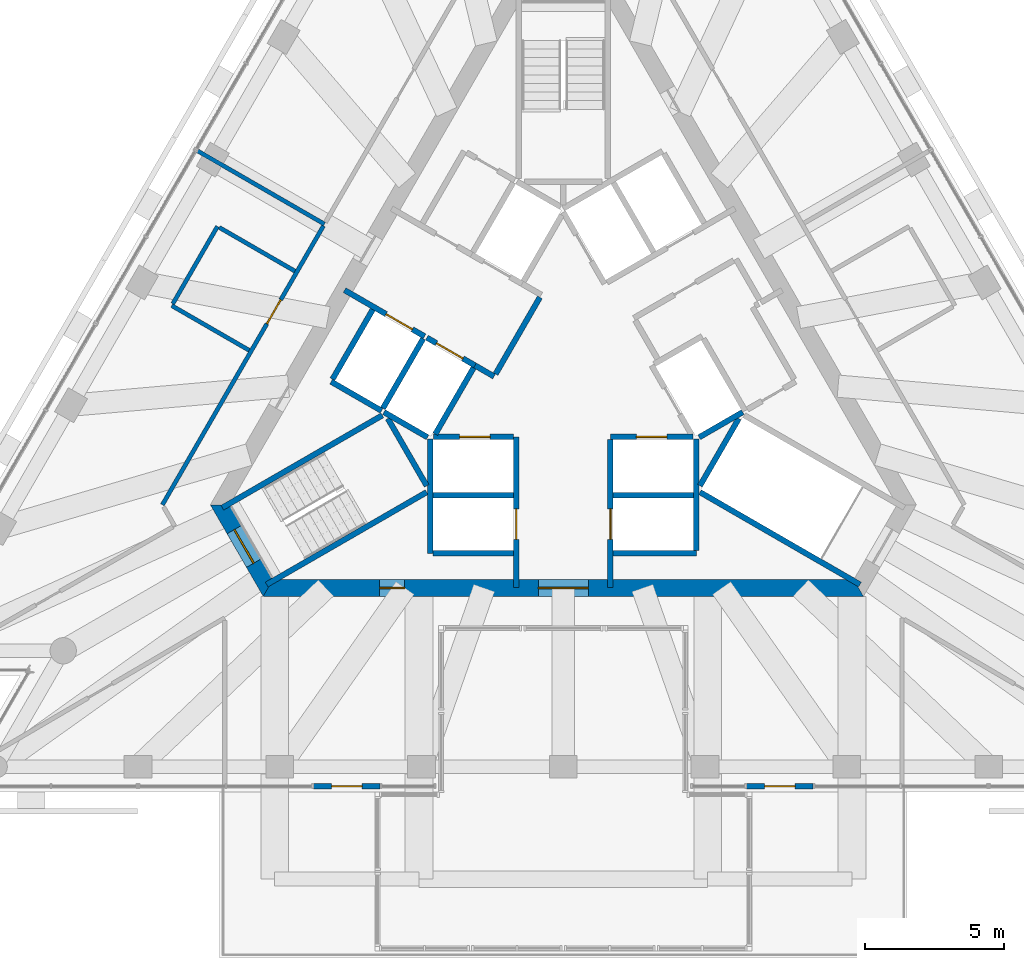
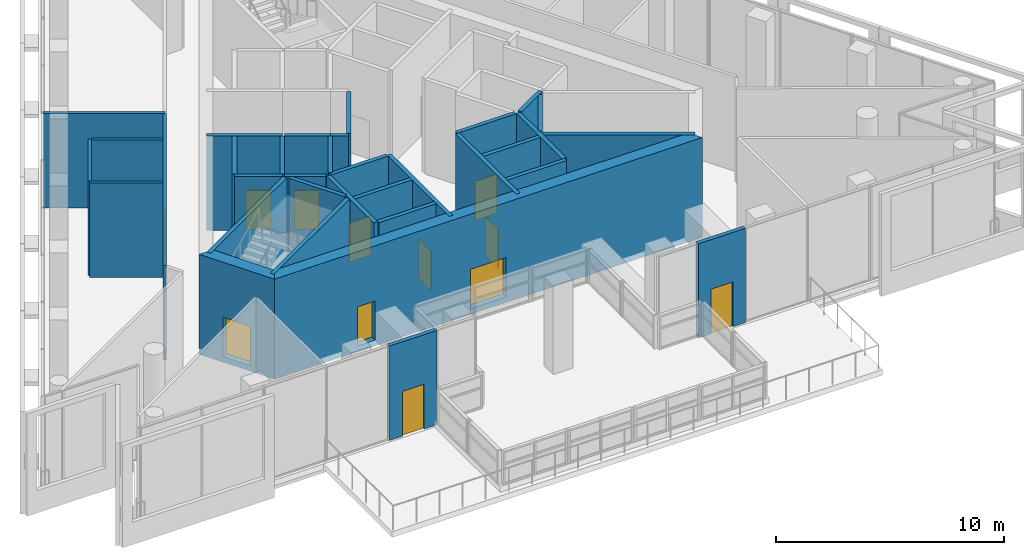
# One storey, part 12 of 17: 34 walls, 12 doors, 12 openings.
"""IFC4 building model written with IfcOpenShell, lengths in metres."""

from ifc_helpers import new_model, si_unit, direction, frame, frame_2d, origin, place, context, subcontext, project, spatial, polyline, rectangle, outline, extrude, material, layer, layer_set, layer_usage, type_object, element, fill, save


model = new_model("IFC4")

# Units and contexts
model_context = context("Model", 3, precision=1e-05, world=origin(), true_north=direction((0.0, 1.0)))
body_context = subcontext(model_context, "Body", "Model", "MODEL_VIEW")
ifc_project = project(units=[si_unit("LENGTHUNIT", "METRE"), si_unit("AREAUNIT", "SQUARE_METRE"), si_unit("VOLUMEUNIT", "CUBIC_METRE"), si_unit("PLANEANGLEUNIT", "RADIAN"), si_unit("MASSUNIT", "GRAM", prefix="KILO")], contexts=[model_context])

# Site, building, storey
site_placement = place(None, origin())
site = spatial("IfcSite", under=ifc_project, at=site_placement, CompositionType="ELEMENT")
building_placement = place(site_placement, origin())
building = spatial("IfcBuilding", under=site, at=building_placement, Name="Triada Interchange Tower", CompositionType="ELEMENT")
storey_placement = place(building_placement, frame((0.0, 0.0, 322.300048828125)))
storey = spatial("IfcBuildingStorey", under=building, at=storey_placement, Name="L77", CompositionType="ELEMENT", Elevation=322.300048828125)

# Walls
ifc_material_1 = material(Name="Concrete C30/37", Category="concrete")
ifc_layer_1 = layer(ifc_material_1, 0.199951171875)
ifc_layer_set_1 = layer_set([ifc_layer_1], Name="CORE WALL 200 EI 120")
wall_type_1 = type_object("IfcWallType", Name="CORE WALL 200 EI 120", PredefinedType="SOLIDWALL", material=ifc_layer_set_1)
wall_1_placement = place(storey_placement, frame((-8.3759765625, -0.70703125, 0.0), z_axis=(0.0, 0.0, 1.0), x_axis=(0.866067520717, -0.499927044236, 0.0)))
element("IfcWall", 1, at=wall_1_placement, inside=storey, type_object=wall_type_1, Name="Wall L77 24", PredefinedType="SOLIDWALL", context=body_context, shape_type="SweptSolid", body=[
    extrude(rectangle(XDim=2.100341796875, YDim=0.199951171875, at=frame_2d((1.05029296875, 0.0))), origin(), (0.0, 0.0, 1.0), 5.050048828125),
])
wall_2_placement = place(storey_placement, frame((-8.325927734375, -0.6201171875, 0.0), z_axis=(0.0, 0.0, 1.0), x_axis=(0.500023687443, 0.866011727401, 0.0)))
element("IfcWall", 2, at=wall_2_placement, inside=storey, type_object=wall_type_1, Name="Wall L77 25", PredefinedType="SOLIDWALL", context=body_context, shape_type="SweptSolid", body=[
    extrude(rectangle(XDim=2.899658203125, YDim=0.199951171875, at=frame_2d((1.44970703125, 0.0))), origin(), (0.0, 0.0, 1.0), 5.050048828125),
])
for number, where, z_axis, x_axis, name in (
    (3, (-4.699951171875, -4.800048828125, 0.0), (0.0, 0.0, 1.0), (1.0, 0.0, 0.0), "Wall L77 26"),
    (4, (1.800048828125, -4.800048828125, 0.0), (0.0, 0.0, 1.0), (1.0, 0.0, 0.0), "Wall L77 27"),
):
    element("IfcWall", number, at=place(storey_placement, frame(where, z_axis=z_axis, x_axis=x_axis)), inside=storey, type_object=wall_type_1, Name=name, PredefinedType="SOLIDWALL", context=body_context, shape_type="SweptSolid", body=[
        extrude(rectangle(XDim=2.89990234375, YDim=0.199951171875, at=frame_2d((1.449951171875, 0.0))), origin(), (0.0, 0.0, 1.0), 5.050048828125),
    ])
wall_3_placement = place(storey_placement, frame((-4.800048828125, -6.89990234375, 0.0), z_axis=(0.0, 0.0, 1.0), x_axis=(0.0, 1.0, 0.0)))
element("IfcWall", 5, at=wall_3_placement, inside=storey, type_object=wall_type_1, Name="Wall L77 28", PredefinedType="SOLIDWALL", context=body_context, shape_type="SweptSolid", body=[
    extrude(rectangle(XDim=4.130859375, YDim=0.199951171875, at=frame_2d((2.0654296875, 0.0))), origin(), (0.0, 0.0, 1.0), 5.050048828125),
])
wall_4_placement = place(storey_placement, frame((-4.699951171875, -6.89990234375, 0.0), z_axis=(0.0, 0.0, 1.0), x_axis=(1.0, 0.0, 0.0)))
element("IfcWall", 6, at=wall_4_placement, inside=storey, type_object=wall_type_1, Name="Wall L77 29", PredefinedType="SOLIDWALL", context=body_context, shape_type="SweptSolid", body=[
    extrude(rectangle(XDim=2.89990234375, YDim=0.199951171875, at=frame_2d((1.449951171875, 0.0))), origin(), (0.0, 0.0, 1.0), 5.050048828125),
])
wall_5_placement = place(storey_placement, frame((1.800048828125, -6.89990234375, 0.0), z_axis=(0.0, 0.0, 1.0), x_axis=(1.0, 0.0, 0.0)))
element("IfcWall", 7, at=wall_5_placement, inside=storey, type_object=wall_type_1, Name="Wall L77 30", PredefinedType="SOLIDWALL", context=body_context, shape_type="SweptSolid", body=[
    extrude(rectangle(XDim=3.0, YDim=0.199951171875, at=frame_2d((1.5, 0.0))), origin(), (0.0, 0.0, 1.0), 5.050048828125),
])

# Wall, opening, door
wall_6_placement = place(storey_placement, frame((-1.699951171875, -8.1298828125, 0.0), z_axis=(0.0, 0.0, 1.0), x_axis=(0.0, 1.0, 0.0)))
wall_6 = element("IfcWall", 8, at=wall_6_placement, inside=storey, type_object=wall_type_1, Name="Wall L77 31", PredefinedType="SOLIDWALL", context=body_context, shape_type="SweptSolid", body=[
    extrude(rectangle(XDim=5.427001953125, YDim=0.199951171875, at=frame_2d((2.71337890625, 0.0))), origin(), (0.0, 0.0, 1.0), 5.050048828125),
])
opening_1_placement = place(wall_6_placement, frame((1.72998046875, 0.0, 0.0)))
opening_1 = element("IfcOpeningElement", 9, at=opening_1_placement, cuts=wall_6, Name="Opening LD-HR4", PredefinedType="OPENING", context=body_context, shape_type="SweptSolid", body=[
    extrude(rectangle(XDim=1.10009765625, YDim=2.10009765625, at=frame_2d((0.550048828125, 1.050048828125))), frame((0.0, 0.10986328125, 0.0), z_axis=(0.0, -1.0, 0.0), x_axis=(1.0, 0.0, 0.0)), (0.0, 0.0, 1.0), 0.219970703125),
])
ifc_material_2 = material(Name="Steel S235 door leaf", Category="steel")
door_type_1 = type_object("IfcDoorType", Name="LIFT LANDING DOOR 1100 EI 120", OperationType="SLIDING_TO_LEFT", PredefinedType="DOOR", material=ifc_material_2)
door_1_placement = place(opening_1_placement, origin())
door_1 = element("IfcDoor", 10, at=door_1_placement, inside=storey, type_object=door_type_1, Name="HR4 landing door L77", OperationType="SLIDING_TO_LEFT", OverallHeight=2.10009765625, OverallWidth=1.10009765625, PredefinedType="DOOR", context=body_context, shape_type="SweptSolid", body=[
    extrude(rectangle(XDim=1.10009765625, YDim=2.10009765625, at=frame_2d((0.550048828125, 1.050048828125))), frame((0.0, 0.02490234375, 0.0), z_axis=(0.0, -1.0, 0.0), x_axis=(1.0, 0.0, 0.0)), (0.0, 0.0, 1.0), 0.050048828125),
])
fill(opening_1, door_1)

wall_7_placement = place(storey_placement, frame((-4.676025390625, -2.699951171875, 0.0), z_axis=(0.0, 0.0, 1.0), x_axis=(1.0, 0.0, 0.0)))
wall_7 = element("IfcWall", 11, at=wall_7_placement, inside=storey, type_object=wall_type_1, Name="Wall L77 32", PredefinedType="SOLIDWALL", context=body_context, shape_type="SweptSolid", body=[
    extrude(rectangle(XDim=2.873046875, YDim=0.199951171875, at=frame_2d((1.4365234375, 0.0))), origin(), (0.0, 0.0, 1.0), 5.050048828125),
])
opening_2_placement = place(wall_7_placement, frame((0.93701171875, 0.0, 0.0)))
opening_2 = element("IfcOpeningElement", 12, at=opening_2_placement, cuts=wall_7, Name="Opening LD-HR3", PredefinedType="OPENING", context=body_context, shape_type="SweptSolid", body=[
    extrude(rectangle(XDim=1.10009765625, YDim=2.10009765625, at=frame_2d((0.550048828125, 1.050048828125))), frame((0.0, 0.10986328125, 0.0), z_axis=(0.0, -1.0, 0.0), x_axis=(1.0, 0.0, 0.0)), (0.0, 0.0, 1.0), 0.219970703125),
])
door_2_placement = place(opening_2_placement, origin())
door_2 = element("IfcDoor", 13, at=door_2_placement, inside=storey, type_object=door_type_1, Name="HR3 landing door L77", OperationType="SLIDING_TO_LEFT", OverallHeight=2.10009765625, OverallWidth=1.10009765625, PredefinedType="DOOR", context=body_context, shape_type="SweptSolid", body=[
    extrude(rectangle(XDim=1.10009765625, YDim=2.10009765625, at=frame_2d((0.550048828125, 1.050048828125))), frame((0.0, 0.02490234375, 0.0), z_axis=(0.0, -1.0, 0.0), x_axis=(1.0, 0.0, 0.0)), (0.0, 0.0, 1.0), 0.050048828125),
])
fill(opening_2, door_2)

wall_8_placement = place(storey_placement, frame((1.702880859375, -2.699951171875, 0.0), z_axis=(0.0, 0.0, 1.0), x_axis=(1.0, 0.0, 0.0)))
wall_8 = element("IfcWall", 14, at=wall_8_placement, inside=storey, type_object=wall_type_1, Name="Wall L77 33", PredefinedType="SOLIDWALL", context=body_context, shape_type="SweptSolid", body=[
    extrude(rectangle(XDim=2.97314453125, YDim=0.199951171875, at=frame_2d((1.486572265625, 0.0))), origin(), (0.0, 0.0, 1.0), 5.050048828125),
])
opening_3_placement = place(wall_8_placement, frame((0.93603515625, 0.0, 0.0)))
opening_3 = element("IfcOpeningElement", 15, at=opening_3_placement, cuts=wall_8, Name="Opening LD-HR1", PredefinedType="OPENING", context=body_context, shape_type="SweptSolid", body=[
    extrude(rectangle(XDim=1.10009765625, YDim=2.10009765625, at=frame_2d((0.550048828125, 1.050048828125))), frame((0.0, 0.10986328125, 0.0), z_axis=(0.0, -1.0, 0.0), x_axis=(1.0, 0.0, 0.0)), (0.0, 0.0, 1.0), 0.219970703125),
])
door_3_placement = place(opening_3_placement, origin())
door_3 = element("IfcDoor", 16, at=door_3_placement, inside=storey, type_object=door_type_1, Name="HR1 landing door L77", OperationType="SLIDING_TO_LEFT", OverallHeight=2.10009765625, OverallWidth=1.10009765625, PredefinedType="DOOR", context=body_context, shape_type="SweptSolid", body=[
    extrude(rectangle(XDim=1.10009765625, YDim=2.10009765625, at=frame_2d((0.550048828125, 1.050048828125))), frame((0.0, 0.02490234375, 0.0), z_axis=(0.0, -1.0, 0.0), x_axis=(1.0, 0.0, 0.0)), (0.0, 0.0, 1.0), 0.050048828125),
])
fill(opening_3, door_3)

wall_9_placement = place(storey_placement, frame((1.699951171875, -8.1298828125, 0.0), z_axis=(0.0, 0.0, 1.0), x_axis=(0.0, 1.0, 0.0)))
wall_9 = element("IfcWall", 17, at=wall_9_placement, inside=storey, type_object=wall_type_1, Name="Wall L77 38", PredefinedType="SOLIDWALL", context=body_context, shape_type="SweptSolid", body=[
    extrude(rectangle(XDim=5.326904296875, YDim=0.199951171875, at=frame_2d((2.66357421875, 0.0))), origin(), (0.0, 0.0, 1.0), 5.050048828125),
])
opening_4_placement = place(wall_9_placement, frame((1.72998046875, 0.0, 0.0)))
opening_4 = element("IfcOpeningElement", 18, at=opening_4_placement, cuts=wall_9, Name="Opening LD-HR2", PredefinedType="OPENING", context=body_context, shape_type="SweptSolid", body=[
    extrude(rectangle(XDim=1.10009765625, YDim=2.10009765625, at=frame_2d((0.550048828125, 1.050048828125))), frame((0.0, 0.10986328125, 0.0), z_axis=(0.0, -1.0, 0.0), x_axis=(1.0, 0.0, 0.0)), (0.0, 0.0, 1.0), 0.219970703125),
])
door_4_placement = place(opening_4_placement, origin())
door_4 = element("IfcDoor", 19, at=door_4_placement, inside=storey, type_object=door_type_1, Name="HR2 landing door L77", OperationType="SLIDING_TO_LEFT", OverallHeight=2.10009765625, OverallWidth=1.10009765625, PredefinedType="DOOR", context=body_context, shape_type="SweptSolid", body=[
    extrude(rectangle(XDim=1.10009765625, YDim=2.10009765625, at=frame_2d((0.550048828125, 1.050048828125))), frame((0.0, 0.02490234375, 0.0), z_axis=(0.0, -1.0, 0.0), x_axis=(1.0, 0.0, 0.0)), (0.0, 0.0, 1.0), 0.050048828125),
])
fill(opening_4, door_4)

# Walls
wall_10_placement = place(storey_placement, frame((4.800048828125, -6.800048828125, 0.0), z_axis=(0.0, 0.0, 1.0), x_axis=(0.0, 1.0, 0.0)))
element("IfcWall", 20, at=wall_10_placement, inside=storey, type_object=wall_type_1, Name="Wall L77 39", PredefinedType="SOLIDWALL", context=body_context, shape_type="SweptSolid", body=[
    extrude(rectangle(XDim=4.029052734375, YDim=0.199951171875, at=frame_2d((2.0146484375, 0.0))), origin(), (0.0, 0.0, 1.0), 5.050048828125),
])
wall_11_placement = place(storey_placement, frame((4.89990234375, -2.714111328125, 0.0), z_axis=(0.0, 0.0, 1.0), x_axis=(0.865846928409, 0.500309001083, 0.0)))
element("IfcWall", 21, at=wall_11_placement, inside=storey, type_object=wall_type_1, Name="Wall L77 45", PredefinedType="SOLIDWALL", context=body_context, shape_type="SweptSolid", body=[
    extrude(rectangle(XDim=1.813232421875, YDim=0.199951171875, at=frame_2d((0.90673828125, 0.0))), origin(), (0.0, 0.0, 1.0), 5.050048828125),
])

# Wall, opening, door
ifc_layer_2 = layer(ifc_material_1, 0.199951171875)
ifc_layer_set_2 = layer_set([ifc_layer_2], Name="CORE WALL 200 EI 180")
wall_type_2 = type_object("IfcWallType", Name="CORE WALL 200 EI 180", PredefinedType="SOLIDWALL", material=ifc_layer_set_2)
wall_12_placement = place(storey_placement, frame((-7.89111328125, 2.593017578125, 0.0), z_axis=(0.0, 0.0, 1.0), x_axis=(0.866070917804, -0.499921159118, 0.0)))
wall_12 = element("IfcWall", 22, at=wall_12_placement, inside=storey, type_object=wall_type_2, Name="Wall L77 49", PredefinedType="SOLIDWALL", context=body_context, shape_type="SweptSolid", body=[
    extrude(rectangle(XDim=3.33251953125, YDim=0.199951171875, at=frame_2d((1.666259765625, 0.0))), origin(), (0.0, 0.0, 1.0), 5.050048828125),
])
opening_5_placement = place(wall_12_placement, frame((1.72998046875, 0.0, 0.0)))
opening_5 = element("IfcOpeningElement", 23, at=opening_5_placement, cuts=wall_12, Name="Opening LD-SV1", PredefinedType="OPENING", context=body_context, shape_type="SweptSolid", body=[
    extrude(rectangle(XDim=1.10009765625, YDim=2.10009765625, at=frame_2d((0.550048828125, 1.050048828125))), frame((0.0, 0.10986328125, 0.0), z_axis=(0.0, -1.0, 0.0), x_axis=(1.0, 0.0, 0.0)), (0.0, 0.0, 1.0), 0.219970703125),
])
door_5_placement = place(opening_5_placement, origin())
door_5 = element("IfcDoor", 24, at=door_5_placement, inside=storey, type_object=door_type_1, Name="SV1 landing door L77", OperationType="SLIDING_TO_LEFT", OverallHeight=2.10009765625, OverallWidth=1.10009765625, PredefinedType="DOOR", context=body_context, shape_type="SweptSolid", body=[
    extrude(rectangle(XDim=1.10009765625, YDim=2.10009765625, at=frame_2d((0.550048828125, 1.050048828125))), frame((0.0, 0.02490234375, 0.0), z_axis=(0.0, -1.0, 0.0), x_axis=(1.0, 0.0, 0.0)), (0.0, 0.0, 1.0), 0.050048828125),
])
fill(opening_5, door_5)

# Walls
wall_13_placement = place(storey_placement, frame((-3.18798828125, -0.1220703125, 0.0), z_axis=(0.0, 0.0, 1.0), x_axis=(0.865705793592, -0.50055317294, 0.0)))
element("IfcWall", 25, at=wall_13_placement, inside=storey, type_object=wall_type_2, Name="Wall L77 50", PredefinedType="SOLIDWALL", context=body_context, shape_type="SweptSolid", body=[
    extrude(rectangle(XDim=0.796875, YDim=0.199951171875, at=frame_2d((0.3984375, 0.0))), origin(), (0.0, 0.0, 1.0), 5.050048828125),
])
wall_14_placement = place(storey_placement, frame((-2.444091796875, -0.43310546875, 0.0), z_axis=(0.0, 0.0, 1.0), x_axis=(0.500035624827, 0.866004834804, 0.0)))
element("IfcWall", 26, at=wall_14_placement, inside=storey, type_object=wall_type_2, Name="Wall L77 55", PredefinedType="SOLIDWALL", context=body_context, shape_type="SweptSolid", body=[
    extrude(rectangle(XDim=3.194091796875, YDim=0.199951171875, at=frame_2d((1.59716796875, 0.0))), origin(), (0.0, 0.0, 1.0), 5.050048828125),
])
wall_15_placement = place(storey_placement, frame((-6.507080078125, -1.669921875, 0.0), z_axis=(0.0, 0.0, 1.0), x_axis=(0.50012328804, 0.865954211699, 0.0)))
element("IfcWall", 27, at=wall_15_placement, inside=storey, type_object=wall_type_2, Name="Shaft wall FF1 L77 56", PredefinedType="SOLIDWALL", context=body_context, shape_type="SweptSolid", body=[
    extrude(rectangle(XDim=2.899658203125, YDim=0.199951171875, at=frame_2d((1.44970703125, 0.0))), origin(), (0.0, 0.0, 1.0), 5.050048828125),
])
wall_16_placement = place(storey_placement, frame((-6.469970703125, -1.806884765625, 0.0), z_axis=(0.0, 0.0, 1.0), x_axis=(0.865883195159, -0.500246231712, 0.0)))
element("IfcWall", 28, at=wall_16_placement, inside=storey, type_object=wall_type_2, Name="Shaft wall FF1 L77 57", PredefinedType="SOLIDWALL", context=body_context, shape_type="SweptSolid", body=[
    extrude(rectangle(XDim=1.8154296875, YDim=0.199951171875, at=frame_2d((0.90771484375, 0.0))), origin(), (0.0, 0.0, 1.0), 5.050048828125),
])

# Wall, opening, door
wall_17_placement = place(storey_placement, frame((-4.922119140625, 0.87890625, 0.0), z_axis=(0.0, 0.0, 1.0), x_axis=(0.866073918653, -0.499915960366, 0.0)))
wall_17 = element("IfcWall", 29, at=wall_17_placement, inside=storey, type_object=wall_type_2, Name="Shaft wall FF1 L77 58", PredefinedType="SOLIDWALL", context=body_context, shape_type="SweptSolid", body=[
    extrude(rectangle(XDim=2.002197265625, YDim=0.199951171875, at=frame_2d((1.0009765625, 0.0))), origin(), (0.0, 0.0, 1.0), 5.050048828125),
])
opening_6_placement = place(wall_17_placement, frame((0.402099609375, 0.0, 0.0)))
opening_6 = element("IfcOpeningElement", 30, at=opening_6_placement, cuts=wall_17, Name="Opening LD-FF1", PredefinedType="OPENING", context=body_context, shape_type="SweptSolid", body=[
    extrude(rectangle(XDim=1.10009765625, YDim=2.10009765625, at=frame_2d((0.550048828125, 1.050048828125))), frame((0.0, 0.10986328125, 0.0), z_axis=(0.0, -1.0, 0.0), x_axis=(1.0, 0.0, 0.0)), (0.0, 0.0, 1.0), 0.219970703125),
])
door_6_placement = place(opening_6_placement, origin())
door_6 = element("IfcDoor", 31, at=door_6_placement, inside=storey, type_object=door_type_1, Name="FF1 landing door L77", OperationType="SLIDING_TO_LEFT", OverallHeight=2.10009765625, OverallWidth=1.10009765625, PredefinedType="DOOR", context=body_context, shape_type="SweptSolid", body=[
    extrude(rectangle(XDim=1.10009765625, YDim=2.10009765625, at=frame_2d((0.550048828125, 1.050048828125))), frame((0.0, 0.02490234375, 0.0), z_axis=(0.0, -1.0, 0.0), x_axis=(1.0, 0.0, 0.0)), (0.0, 0.0, 1.0), 0.050048828125),
])
fill(opening_6, door_6)

# Walls
wall_18_placement = place(storey_placement, frame((-4.618896484375, -2.60009765625, 0.0), z_axis=(0.0, 0.0, 1.0), x_axis=(0.50009492287, 0.865970593103, 0.0)))
element("IfcWall", 32, at=wall_18_placement, inside=storey, type_object=wall_type_2, Name="Shaft wall FF1 L77 59", PredefinedType="SOLIDWALL", context=body_context, shape_type="SweptSolid", body=[
    extrude(rectangle(XDim=2.76123046875, YDim=0.199951171875, at=frame_2d((1.380615234375, 0.0))), origin(), (0.0, 0.0, 1.0), 5.050048828125),
])
ifc_layer_3 = layer(ifc_material_1, 0.199951171875)
ifc_layer_set_3 = layer_set([ifc_layer_3], Name="CORE WALL 200 REI 240")
wall_type_3 = type_object("IfcWallType", Name="CORE WALL 200 REI 240", PredefinedType="SOLIDWALL", material=ifc_layer_set_3)
wall_19_placement = place(storey_placement, frame((-12.301025390625, -5.25390625, 0.0), z_axis=(0.0, 0.0, 1.0), x_axis=(0.866068467981, 0.499925403204, 0.0)))
element("IfcWall", 33, at=wall_19_placement, inside=storey, type_object=wall_type_3, Name="Wall L77 68", PredefinedType="SOLIDWALL", context=body_context, shape_type="SweptSolid", body=[
    extrude(rectangle(XDim=6.66455078125, YDim=0.199951171875, at=frame_2d((3.332275390625, 0.0))), origin(), (0.0, 0.0, 1.0), 5.050048828125),
])
wall_20_placement = place(storey_placement, frame((-6.3291015625, -2.0380859375, 0.0), z_axis=(0.0, 0.0, 1.0), x_axis=(0.500200581029, -0.865909567298, 0.0)))
element("IfcWall", 34, at=wall_20_placement, inside=storey, type_object=wall_type_3, Name="Wall L77 69", PredefinedType="SOLIDWALL", context=body_context, shape_type="SweptSolid", body=[
    extrude(rectangle(XDim=2.799072265625, YDim=0.199951171875, at=frame_2d((1.3994140625, 0.0))), origin(), (0.0, 0.0, 1.0), 5.050048828125),
])
for number, where, z_axis, x_axis, name in (
    (35, (-10.700927734375, -8.02587890625, 0.0), (0.0, 0.0, 1.0), (0.866005022404, 0.500035299925, 0.0), "Wall L77 70"),
    (36, (4.928955078125, -4.693115234375, 0.0), (0.0, 0.0, 1.0), (0.866005022404, -0.500035299925, 0.0), "Wall L77 74"),
):
    element("IfcWall", number, at=place(storey_placement, frame(where, z_axis=z_axis, x_axis=x_axis)), inside=storey, type_object=wall_type_3, Name=name, PredefinedType="SOLIDWALL", context=body_context, shape_type="SweptSolid", body=[
        extrude(rectangle(XDim=6.6650390625, YDim=0.199951171875, at=frame_2d((3.33251953125, 0.0))), origin(), (0.0, 0.0, 1.0), 5.050048828125),
    ])
wall_21_placement = place(storey_placement, frame((4.928955078125, -4.4619140625, 0.0), z_axis=(0.0, 0.0, 1.0), x_axis=(0.500200581029, 0.865909567298, 0.0)))
element("IfcWall", 37, at=wall_21_placement, inside=storey, type_object=wall_type_3, Name="Wall L77 75", PredefinedType="SOLIDWALL", context=body_context, shape_type="SweptSolid", body=[
    extrude(rectangle(XDim=2.799072265625, YDim=0.199951171875, at=frame_2d((1.3994140625, 0.0))), origin(), (0.0, 0.0, 1.0), 5.050048828125),
])

# Wall, opening, door
ifc_material_3 = material(Name="Concrete C40/50", Category="concrete")
ifc_layer_4 = layer(ifc_material_3, 0.60009765625)
ifc_layer_set_4 = layer_set([ifc_layer_4], Name="Core wall D 600")
wall_type_4 = type_object("IfcWallType", Name="Core wall D 600", PredefinedType="SHEAR", material=ifc_layer_set_4)
wall_22_placement = place(storey_placement, frame((-12.384033203125, -5.14990234375, -0.300048828125), z_axis=(0.0, 0.0, 1.0), x_axis=(0.49997462182, -0.866040055388, 0.0)))
wall_22 = element("IfcWall", 38, at=wall_22_placement, inside=storey, type_object=wall_type_4, Name="Core wall WD03 L77", PredefinedType="SHEAR", context=body_context, shape_type="SweptSolid", body=[
    extrude(outline(polyline([(-0.173095703125, -0.301025390625), (1.73193359375, -0.300537109375), (3.636962890625, -0.300048828125), (3.291015625, 0.300048828125), (1.73193359375, 0.300048828125), (0.173095703125, 0.300048828125), (-0.173095703125, -0.301025390625)])), origin(), (0.0, 0.0, 1.0), 5.35009765625),
])
opening_7_placement = place(wall_22_placement, frame((1.031982421875, 0.0, 0.300048828125)))
opening_7 = element("IfcOpeningElement", 39, at=opening_7_placement, cuts=wall_22, Name="Opening D77-22", PredefinedType="OPENING", context=body_context, shape_type="SweptSolid", body=[
    extrude(rectangle(XDim=1.39990234375, YDim=2.10009765625, at=frame_2d((0.699951171875, 1.050048828125))), frame((0.0, 0.31005859375, 0.0), z_axis=(0.0, -1.0, 0.0), x_axis=(1.0, 0.0, 0.0)), (0.0, 0.0, 1.0), 0.62109375),
])
door_type_2 = type_object("IfcDoorType", Name="STAIR DOOR 1400 EI2 90-C5S200", OperationType="DOUBLE_DOOR_SINGLE_SWING", PredefinedType="DOOR", material=ifc_material_2)
door_7_placement = place(opening_7_placement, origin())
door_7 = element("IfcDoor", 40, at=door_7_placement, inside=storey, type_object=door_type_2, Name="Door D77-22 L77", OperationType="DOUBLE_DOOR_SINGLE_SWING", OverallHeight=2.10009765625, OverallWidth=1.39990234375, PredefinedType="DOOR", context=body_context, shape_type="SweptSolid", body=[
    extrude(rectangle(XDim=1.39990234375, YDim=2.10009765625, at=frame_2d((0.699951171875, 1.050048828125))), frame((0.0, 0.02490234375, 0.0), z_axis=(0.0, -1.0, 0.0), x_axis=(1.0, 0.0, 0.0)), (0.0, 0.0, 1.0), 0.050048828125),
])
fill(opening_7, door_7)

# Wall, openings, doors
wall_23_placement = place(storey_placement, frame((-10.652099609375, -8.14990234375, -0.300048828125), z_axis=(0.0, 0.0, 1.0), x_axis=(1.0, 0.0, 0.0)))
wall_23 = element("IfcWall", 41, at=wall_23_placement, inside=storey, type_object=wall_type_4, Name="Core wall WD04 L77", PredefinedType="SHEAR", context=body_context, shape_type="SweptSolid", body=[
    extrude(outline(polyline([(-0.173095703125, -0.300048828125), (1.795166015625, -0.300048828125), (3.76318359375, -0.300048828125), (5.7314453125, -0.300048828125), (7.69970703125, -0.300048828125), (9.66796875, -0.300048828125), (11.635986328125, -0.300048828125), (13.604248046875, -0.300048828125), (15.572509765625, -0.300048828125), (17.540771484375, -0.300048828125), (19.5087890625, -0.300048828125), (21.47705078125, -0.300048828125), (21.131103515625, 0.300048828125), (19.225830078125, 0.300048828125), (17.320556640625, 0.300048828125), (15.415283203125, 0.300048828125), (13.510009765625, 0.300048828125), (11.604736328125, 0.300048828125), (9.699462890625, 0.300048828125), (7.794189453125, 0.300048828125), (5.888916015625, 0.300048828125), (3.983642578125, 0.300048828125), (2.078369140625, 0.300048828125), (0.173095703125, 0.300048828125), (-0.173095703125, -0.300048828125)])), origin(), (0.0, 0.0, 1.0), 5.35009765625),
])
opening_8_placement = place(wall_23_placement, frame((9.751953125, 0.0, 0.300048828125)))
opening_8 = element("IfcOpeningElement", 42, at=opening_8_placement, cuts=wall_23, Name="Opening D77-20", PredefinedType="OPENING", context=body_context, shape_type="SweptSolid", body=[
    extrude(rectangle(XDim=1.800048828125, YDim=2.10009765625, at=frame_2d((0.89990234375, 1.050048828125))), frame((0.0, 0.31005859375, 0.0), z_axis=(0.0, -1.0, 0.0), x_axis=(1.0, 0.0, 0.0)), (0.0, 0.0, 1.0), 0.6201171875),
])
opening_9_placement = place(wall_23_placement, frame((4.02587890625, 0.0, 0.300048828125)))
opening_9 = element("IfcOpeningElement", 43, at=opening_9_placement, cuts=wall_23, Name="Opening D77-26", PredefinedType="OPENING", context=body_context, shape_type="SweptSolid", body=[
    extrude(rectangle(XDim=0.89990234375, YDim=2.10009765625, at=frame_2d((0.449951171875, 1.050048828125))), frame((0.0, 0.31005859375, 0.0), z_axis=(0.0, -1.0, 0.0), x_axis=(1.0, 0.0, 0.0)), (0.0, 0.0, 1.0), 0.6201171875),
])
door_type_3 = type_object("IfcDoorType", Name="LOBBY DOOR 1800 EI2 90-C5S200", OperationType="DOUBLE_DOOR_SINGLE_SWING", PredefinedType="DOOR", material=ifc_material_2)
door_8_placement = place(opening_8_placement, origin())
door_8 = element("IfcDoor", 44, at=door_8_placement, inside=storey, type_object=door_type_3, Name="Door D77-20 L77", OperationType="DOUBLE_DOOR_SINGLE_SWING", OverallHeight=2.10009765625, OverallWidth=1.800048828125, PredefinedType="DOOR", context=body_context, shape_type="SweptSolid", body=[
    extrude(rectangle(XDim=1.800048828125, YDim=2.10009765625, at=frame_2d((0.89990234375, 1.050048828125))), frame((0.0, 0.02490234375, 0.0), z_axis=(0.0, -1.0, 0.0), x_axis=(1.0, 0.0, 0.0)), (0.0, 0.0, 1.0), 0.050048828125),
])
fill(opening_8, door_8)
door_type_4 = type_object("IfcDoorType", Name="RISER ACCESS DOOR 900 EI2 45-C5S200", OperationType="NOTDEFINED", PredefinedType="DOOR", material=ifc_material_2)
door_9_placement = place(opening_9_placement, origin())
door_9 = element("IfcDoor", 45, at=door_9_placement, inside=storey, type_object=door_type_4, Name="Door D77-26 L77", OperationType="SINGLE_SWING_RIGHT", OverallHeight=2.10009765625, OverallWidth=0.89990234375, PredefinedType="DOOR", context=body_context, shape_type="SweptSolid", body=[
    extrude(rectangle(XDim=0.89990234375, YDim=2.10009765625, at=frame_2d((0.449951171875, 1.050048828125))), frame((0.0, 0.02490234375, 0.0), z_axis=(0.0, -1.0, 0.0), x_axis=(1.0, 0.0, 0.0)), (0.0, 0.0, 1.0), 0.050048828125),
])
fill(opening_9, door_9)

# Wall, opening, door
ifc_material_4 = material(Name="Cement board")
ifc_layer_5 = layer(ifc_material_4, 0.02001953125, Name="Cement board cladding")
ifc_material_5 = material(Name="Sheathing board")
ifc_layer_6 = layer(ifc_material_5, 0.014892578125, Name="Sheathing board")
ifc_material_6 = material(Name="Mineral wool")
ifc_layer_7 = layer(ifc_material_6, 0.14990234375, Name="Mineral wool between steel studs")
ifc_material_7 = material(Name="Gypsum board")
ifc_layer_8 = layer(ifc_material_7, 0.014892578125, Name="Plasterboard lining")
ifc_layer_set_5 = layer_set([ifc_layer_5, ifc_layer_6, ifc_layer_7, ifc_layer_8], Name="External wall 200")
ifc_layer_usage = layer_usage(ifc_layer_set_5, "AXIS2", "POSITIVE", -0.10009765625)
wall_type_5 = type_object("IfcWallType", Name="External wall 200", PredefinedType="ELEMENTEDWALL", material=ifc_layer_set_5)
wall_24_placement = place(storey_placement, frame((-9.010009765625, -15.300048828125, 0.0), z_axis=(0.0, 0.0, 1.0), x_axis=(1.0, 0.0, 0.0)))
wall_24 = element("IfcWall", 46, at=wall_24_placement, inside=storey, type_object=wall_type_5, material=ifc_layer_usage, Name="External wall L77 S door bay", PredefinedType="ELEMENTEDWALL", context=body_context, shape_type="SweptSolid", body=[
    extrude(rectangle(XDim=2.39990234375, YDim=0.199951171875, at=frame_2d((1.199951171875, 0.0))), origin(), (0.0, 0.0, 1.0), 5.050048828125),
])
opening_10_placement = place(wall_24_placement, frame((0.64990234375, 0.0, 0.0)))
opening_10 = element("IfcOpeningElement", 47, at=opening_10_placement, cuts=wall_24, Name="Opening DX01", PredefinedType="OPENING", context=body_context, shape_type="SweptSolid", body=[
    extrude(rectangle(XDim=1.10009765625, YDim=2.39990234375, at=frame_2d((0.550048828125, 1.199951171875))), frame((0.0, 0.10986328125, 0.0), z_axis=(0.0, -1.0, 0.0), x_axis=(1.0, 0.0, 0.0)), (0.0, 0.0, 1.0), 0.219970703125),
])
ifc_material_8 = material(Name="Aluminium and glass", Category="aluminium")
door_type_5 = type_object("IfcDoorType", Name="Pool deck door single left", OperationType="SINGLE_SWING_LEFT", PredefinedType="DOOR", material=ifc_material_8)
door_10_placement = place(opening_10_placement, frame((1.10009765625, 0.0, 0.0), z_axis=(0.0, 0.0, 1.0), x_axis=(-1.0, 0.0, 0.0)))
door_10 = element("IfcDoor", 48, at=door_10_placement, inside=storey, type_object=door_type_5, Name="Door DX01 L77", OperationType="SINGLE_SWING_RIGHT", OverallHeight=2.39990234375, OverallWidth=1.10009765625, PredefinedType="DOOR", context=body_context, shape_type="SweptSolid", body=[
    extrude(rectangle(XDim=1.10009765625, YDim=2.39990234375, at=frame_2d((0.550048828125, 1.199951171875))), frame((0.0, 0.02490234375, 0.0), z_axis=(0.0, -1.0, 0.0), x_axis=(1.0, 0.0, 0.0)), (0.0, 0.0, 1.0), 0.050048828125),
])
fill(opening_10, door_10)

wall_25_placement = place(storey_placement, frame((6.610107421875, -15.300048828125, 0.0), z_axis=(0.0, 0.0, 1.0), x_axis=(1.0, 0.0, 0.0)))
wall_25 = element("IfcWall", 49, at=wall_25_placement, inside=storey, type_object=wall_type_5, material=ifc_layer_usage, Name="External wall L77 S door bay", PredefinedType="ELEMENTEDWALL", context=body_context, shape_type="SweptSolid", body=[
    extrude(rectangle(XDim=2.39990234375, YDim=0.199951171875, at=frame_2d((1.199951171875, 0.0))), origin(), (0.0, 0.0, 1.0), 5.050048828125),
])
opening_11_placement = place(wall_25_placement, frame((0.64990234375, 0.0, 0.0)))
opening_11 = element("IfcOpeningElement", 50, at=opening_11_placement, cuts=wall_25, Name="Opening DX02", PredefinedType="OPENING", context=body_context, shape_type="SweptSolid", body=[
    extrude(rectangle(XDim=1.10009765625, YDim=2.39990234375, at=frame_2d((0.550048828125, 1.199951171875))), frame((0.0, 0.10986328125, 0.0), z_axis=(0.0, -1.0, 0.0), x_axis=(1.0, 0.0, 0.0)), (0.0, 0.0, 1.0), 0.219970703125),
])
door_type_6 = type_object("IfcDoorType", Name="Pool deck door single right", OperationType="SINGLE_SWING_RIGHT", PredefinedType="DOOR", material=ifc_material_8)
door_11_placement = place(opening_11_placement, frame((1.10009765625, 0.0, 0.0), z_axis=(0.0, 0.0, 1.0), x_axis=(-1.0, 0.0, 0.0)))
door_11 = element("IfcDoor", 51, at=door_11_placement, inside=storey, type_object=door_type_6, Name="Door DX02 L77", OperationType="SINGLE_SWING_LEFT", OverallHeight=2.39990234375, OverallWidth=1.10009765625, PredefinedType="DOOR", context=body_context, shape_type="SweptSolid", body=[
    extrude(rectangle(XDim=1.10009765625, YDim=2.39990234375, at=frame_2d((0.550048828125, 1.199951171875))), frame((0.0, 0.02490234375, 0.0), z_axis=(0.0, -1.0, 0.0), x_axis=(1.0, 0.0, 0.0)), (0.0, 0.0, 1.0), 0.050048828125),
])
fill(opening_11, door_11)

# Walls
ifc_material_9 = material(Name="Gypsum board partition")
ifc_layer_9 = layer(ifc_material_9, 0.14990234375)
ifc_layer_set_6 = layer_set([ifc_layer_9], Name="PARTITION 150")
wall_type_6 = type_object("IfcWallType", Name="PARTITION 150", PredefinedType="PARTITIONING", material=ifc_layer_set_6)
for number, where, z_axis, x_axis, name in (
    (52, (-14.125, 2.034912109375, 0.0), (0.0, 0.0, 1.0), (0.866120036269, -0.499836055896, 0.0), "Wall L77 10"),
    (53, (-14.0869140625, 2.10009765625, 0.0), (0.0, 0.0, 1.0), (0.499836055896, 0.866120036269, 0.0), "Wall L77 11"),
):
    element("IfcWall", number, at=place(storey_placement, frame(where, z_axis=z_axis, x_axis=x_axis)), inside=storey, type_object=wall_type_6, Name=name, PredefinedType="PARTITIONING", context=body_context, shape_type="SweptSolid", body=[
        extrude(rectangle(XDim=3.224609375, YDim=0.14990234375, at=frame_2d((1.6123046875, 0.0))), origin(), (0.0, 0.0, 1.0), 5.050048828125),
    ])
wall_26_placement = place(storey_placement, frame((-12.409912109375, 4.85498046875, 0.0), z_axis=(0.0, 0.0, 1.0), x_axis=(0.866035871367, -0.499981869177, 0.0)))
element("IfcWall", 54, at=wall_26_placement, inside=storey, type_object=wall_type_6, Name="Wall L77 12", PredefinedType="PARTITIONING", context=body_context, shape_type="SweptSolid", body=[
    extrude(rectangle(XDim=3.14990234375, YDim=0.14990234375, at=frame_2d((1.574951171875, 0.0))), origin(), (0.0, 0.0, 1.0), 5.050048828125),
])
ifc_layer_10 = layer(ifc_material_9, 0.14990234375)
ifc_layer_set_7 = layer_set([ifc_layer_10], Name="PARTITION 150 EI 180")
wall_type_7 = type_object("IfcWallType", Name="PARTITION 150 EI 180", PredefinedType="PARTITIONING", material=ifc_layer_set_7)
wall_27_placement = place(storey_placement, frame((-13.25, 7.64990234375, 0.0), z_axis=(0.0, 0.0, 1.0), x_axis=(0.866032834954, -0.499987128616, 0.0)))
element("IfcWall", 55, at=wall_27_placement, inside=storey, type_object=wall_type_7, Name="Wall L77 1", PredefinedType="PARTITIONING", context=body_context, shape_type="SweptSolid", body=[
    extrude(rectangle(XDim=5.349853515625, YDim=0.14990234375, at=frame_2d((2.6748046875, 0.0))), origin(), (0.0, 0.0, 1.0), 5.050048828125),
])

# Wall, opening, door
ifc_layer_11 = layer(ifc_material_9, 0.14990234375)
ifc_layer_set_8 = layer_set([ifc_layer_11], Name="PARTITION 150 EI 90")
wall_type_8 = type_object("IfcWallType", Name="PARTITION 150 EI 90", PredefinedType="PARTITIONING", material=ifc_layer_set_8)
wall_28_placement = place(storey_placement, frame((-14.462890625, -5.14990234375, 0.0), z_axis=(0.0, 0.0, 1.0), x_axis=(0.50005173435, 0.865995532883, 0.0)))
wall_28 = element("IfcWall", 56, at=wall_28_placement, inside=storey, type_object=wall_type_8, Name="Wall L77 5", PredefinedType="PARTITIONING", context=body_context, shape_type="SweptSolid", body=[
    extrude(rectangle(XDim=11.616455078125, YDim=0.14990234375, at=frame_2d((5.80810546875, 0.0))), origin(), (0.0, 0.0, 1.0), 5.050048828125),
])
opening_12_placement = place(wall_28_placement, frame((7.5419921875, 0.0, 0.0)))
opening_12 = element("IfcOpeningElement", 57, at=opening_12_placement, cuts=wall_28, Name="Opening D77-12", PredefinedType="OPENING", context=body_context, shape_type="SweptSolid", body=[
    extrude(rectangle(XDim=1.0, YDim=2.10009765625, at=frame_2d((0.5, 1.050048828125))), frame((0.0, 0.0849609375, 0.0), z_axis=(0.0, -1.0, 0.0), x_axis=(1.0, 0.0, 0.0)), (0.0, 0.0, 1.0), 0.169921875),
])
door_type_7 = type_object("IfcDoorType", Name="ROOM DOOR 1000 EI2 45-C5S200", OperationType="NOTDEFINED", PredefinedType="DOOR", material=ifc_material_2)
door_12_placement = place(opening_12_placement, origin())
door_12 = element("IfcDoor", 58, at=door_12_placement, inside=storey, type_object=door_type_7, Name="Door D77-12 L77", OperationType="SINGLE_SWING_LEFT", OverallHeight=2.10009765625, OverallWidth=1.0, PredefinedType="DOOR", context=body_context, shape_type="SweptSolid", body=[
    extrude(rectangle(XDim=1.0, YDim=2.10009765625, at=frame_2d((0.5, 1.050048828125))), frame((0.0, 0.02490234375, 0.0), z_axis=(0.0, -1.0, 0.0), x_axis=(1.0, 0.0, 0.0)), (0.0, 0.0, 1.0), 0.050048828125),
])
fill(opening_12, door_12)

save(model, "model.ifc")
